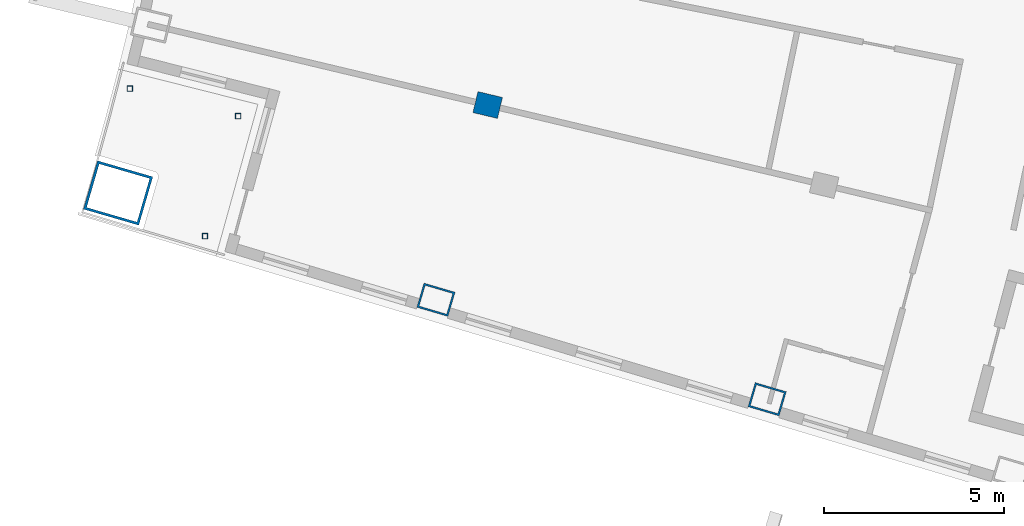
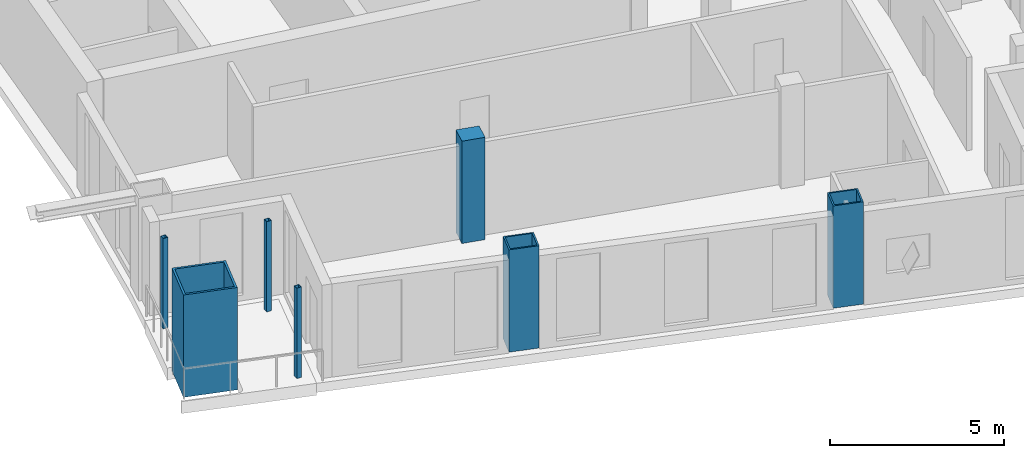
# One storey, part 1 of 15: 7 columns.
"""IFC4 building model written with IfcOpenShell, lengths in metres."""

from ifc_helpers import new_model, si_unit, direction, frame, origin, origin_2d, place, context, subcontext, project, spatial, rectangle, hollow_rectangle, extrude, material, material_profile, profile_set, type_object, element, save


model = new_model("IFC4")

# Units and contexts
model_context = context("Model", 3, precision=1e-05, world=origin(), true_north=direction((0.0, 1.0)))
body_context = subcontext(model_context, "Body", "Model", "MODEL_VIEW")
ifc_project = project(units=[si_unit("LENGTHUNIT", "METRE"), si_unit("AREAUNIT", "SQUARE_METRE"), si_unit("VOLUMEUNIT", "CUBIC_METRE"), si_unit("PLANEANGLEUNIT", "RADIAN"), si_unit("MASSUNIT", "GRAM", prefix="KILO")], contexts=[model_context])

# Site, building, storey
site_placement = place(None, origin())
site = spatial("IfcSite", under=ifc_project, at=site_placement, CompositionType="ELEMENT")
building_placement = place(site_placement, origin())
building = spatial("IfcBuilding", under=site, at=building_placement, Name="Alderwake Tower", CompositionType="ELEMENT")
storey_placement = place(building_placement, frame((0.0, 0.0, 252.800048828125)))
storey = spatial("IfcBuildingStorey", under=building, at=storey_placement, Name="L62", CompositionType="ELEMENT", Elevation=252.800048828125)

# Columns
ifc_material_1 = material(Name="Steel ASTM A572 Grade 50 concrete filled C70/85", Category="concrete")
ifc_material_profile_1 = material_profile(ifc_material_1, hollow_rectangle(XDim=0.699951171875, YDim=0.89990234375, WallThickness=0.050048828125, at=origin_2d()), Name="BOX 900X700X50")
ifc_profile_set_1 = profile_set([ifc_material_profile_1], Name="Steel ASTM A572 Grade 50 concrete filled C70/85")
column_type_1 = type_object("IfcColumnType", Name="End column Z5", PredefinedType="COLUMN", material=ifc_profile_set_1)
for number, where, z_axis, x_axis, name in (
    (1, (21.885498046875, 31.03759765625, 0.0), (0.0, 0.0, 1.0), (0.282132160283, 0.95937554906, 0.0), "Column R02-C1"),
    (2, (31.080322265625, 28.27685546875, 0.0), (0.0, 0.0, 1.0), (0.282582549822, 0.959242984095, 0.0), "Column R02-C2"),
):
    element("IfcColumn", number, at=place(storey_placement, frame(where, z_axis=z_axis, x_axis=x_axis)), inside=storey, type_object=column_type_1, Name=name, PredefinedType="COLUMN", context=body_context, shape_type="SweptSolid", body=[
        extrude(hollow_rectangle(XDim=0.699951171875, YDim=0.89990234375, WallThickness=0.050048828125, at=origin_2d()), origin(), (0.0, 0.0, 1.0), 3.599853515625),
    ])
ifc_material_2 = material(Name="Concrete C70/85", Category="concrete")
ifc_material_profile_2 = material_profile(ifc_material_2, rectangle(XDim=0.60009765625, YDim=0.699951171875, at=origin_2d()), Name="RC 700X600")
ifc_profile_set_2 = profile_set([ifc_material_profile_2], Name="Concrete C70/85")
column_type_2 = type_object("IfcColumnType", Name="Interior column Z5", PredefinedType="COLUMN", material=ifc_profile_set_2)
column_1_placement = place(storey_placement, frame((23.322021484375, 36.444091796875, 0.0), z_axis=(0.0, 0.0, 1.0), x_axis=(0.231221547198, 0.972901123502, 0.0)))
element("IfcColumn", 3, at=column_1_placement, inside=storey, type_object=column_type_2, Name="Column R03-C1", PredefinedType="COLUMN", context=body_context, shape_type="SweptSolid", body=[
    extrude(rectangle(XDim=0.60009765625, YDim=0.699951171875, at=origin_2d()), origin(), (0.0, 0.0, 1.0), 3.599853515625),
])
ifc_material_3 = material(Name="Steel ASTM A500 Grade C", Category="steel")
ifc_material_profile_3 = material_profile(ifc_material_3, hollow_rectangle(XDim=0.15234375, YDim=0.15234375, WallThickness=0.0087890625, at=origin_2d()), Name="HSS6X6X3/8")
ifc_profile_set_3 = profile_set([ifc_material_profile_3], Name="Steel ASTM A500 Grade C")
column_type_3 = type_object("IfcColumnType", Name="Light post HSS6X6X3/8", PredefinedType="COLUMN", material=ifc_profile_set_3)
for number, where, z_axis, x_axis, name in (
    (4, (13.3896484375, 36.896484375, 0.0), (0.0, 0.0, 1.0), (1.0, 0.0, 0.0), "Terrace post RS1"),
    (5, (15.47412109375, 32.805908203125, 0.0), (0.0, 0.0, 1.0), (1.0, 0.0, 0.0), "Terrace post RS2"),
    (6, (16.39501953125, 36.135986328125, 0.0), (0.0, 0.0, 1.0), (1.0, 0.0, 0.0), "Terrace post RS3"),
):
    element("IfcColumn", number, at=place(storey_placement, frame(where, z_axis=z_axis, x_axis=x_axis)), inside=storey, type_object=column_type_3, Name=name, PredefinedType="COLUMN", context=body_context, shape_type="SweptSolid", body=[
        extrude(hollow_rectangle(XDim=0.15234375, YDim=0.15234375, WallThickness=0.0087890625, at=origin_2d()), origin(), (0.0, 0.0, 1.0), 3.179931640625),
    ])
ifc_material_4 = material(Name="Steel ASTM A572 Grade 50 concrete filled C70/85", Category="concrete")
ifc_material_profile_4 = material_profile(ifc_material_4, hollow_rectangle(XDim=1.39990234375, YDim=1.60009765625, WallThickness=0.070068359375, at=origin_2d()), Name="BOX 1600X1400X70")
ifc_profile_set_4 = profile_set([ifc_material_profile_4], Name="Steel ASTM A572 Grade 50 concrete filled C70/85")
column_type_4 = type_object("IfcColumnType", Name="Mega column Z5", PredefinedType="COLUMN", material=ifc_profile_set_4)
column_2_placement = place(storey_placement, frame((13.06298828125, 34.00244140625, 0.0), z_axis=(0.0, 0.0, 1.0), x_axis=(0.278612301868, 0.960403657452, 0.0)))
element("IfcColumn", 7, at=column_2_placement, inside=storey, type_object=column_type_4, Name="Column R02-C0", PredefinedType="COLUMN", context=body_context, shape_type="SweptSolid", body=[
    extrude(hollow_rectangle(XDim=1.39990234375, YDim=1.60009765625, WallThickness=0.070068359375, at=origin_2d()), origin(), (0.0, 0.0, 1.0), 3.599853515625),
])

save(model, "model.ifc")
